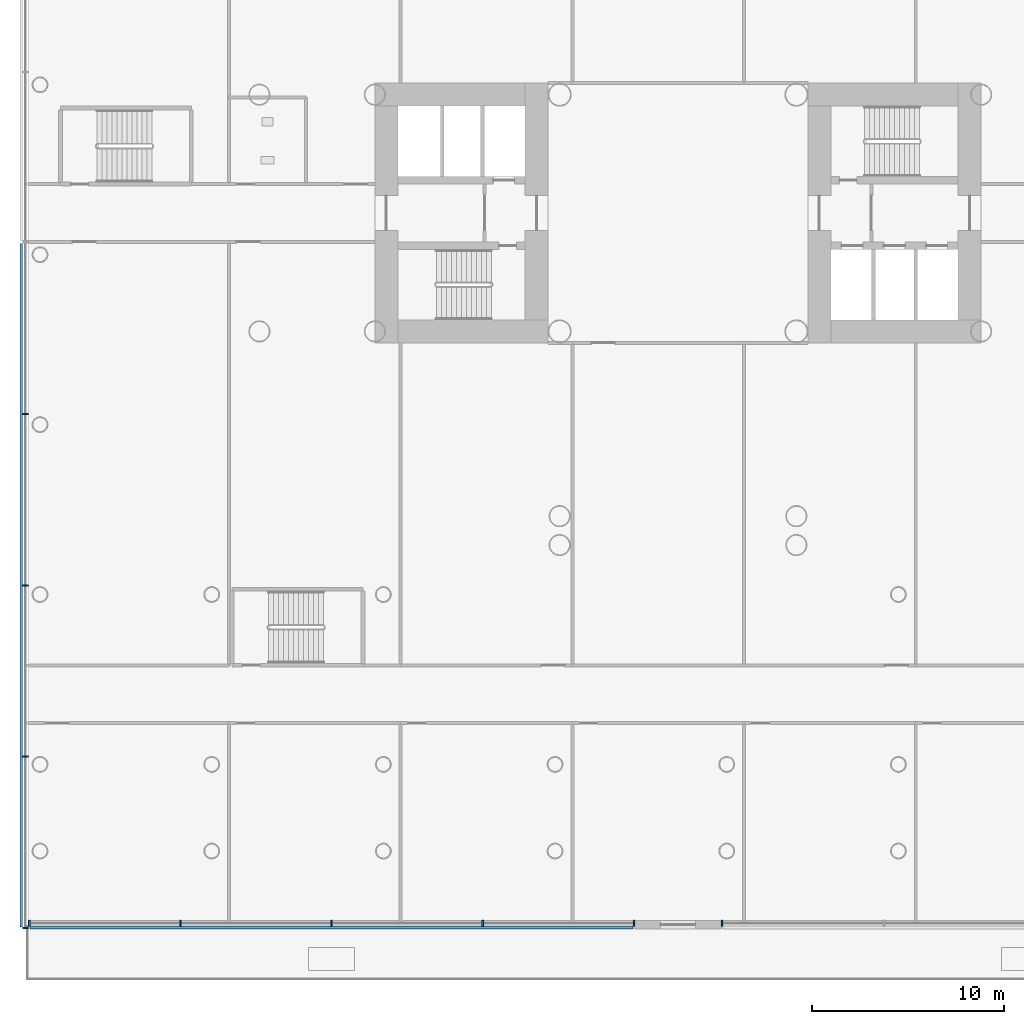
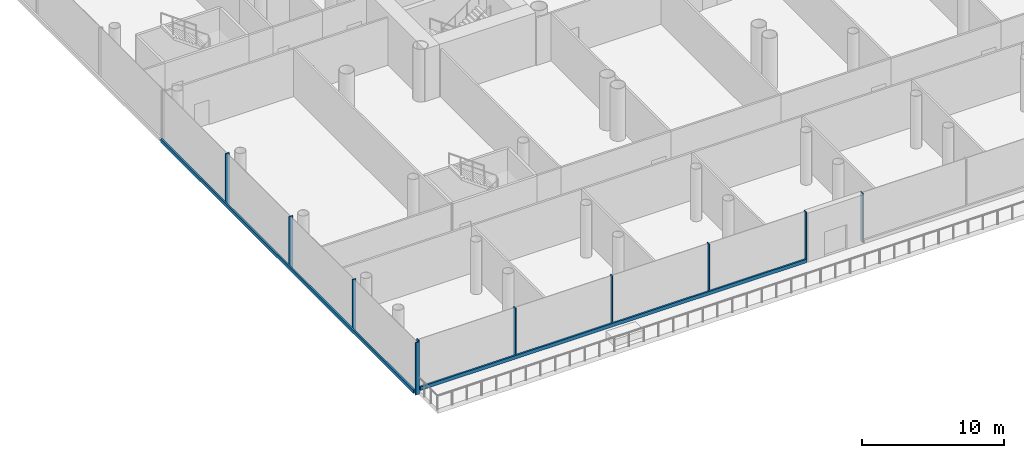
# One storey, part 5 of 49: 12 members, 3 elements without a shape of their own.
"""IFC4 building model written with IfcOpenShell, lengths in metres."""

from ifc_helpers import new_model, si_unit, direction, frame, origin, origin_2d, place, context, subcontext, project, spatial, rectangle, extrude, material, layer, layer_set, material_profile, profile_set, type_object, element, aggregate, save


model = new_model("IFC4")

# Units and contexts
model_context = context("Model", 3, precision=1e-05, world=origin(), true_north=direction((0.0, 1.0)))
body_context = subcontext(model_context, "Body", "Model", "MODEL_VIEW")
ifc_project = project(units=[si_unit("LENGTHUNIT", "METRE"), si_unit("AREAUNIT", "SQUARE_METRE"), si_unit("VOLUMEUNIT", "CUBIC_METRE"), si_unit("PLANEANGLEUNIT", "RADIAN"), si_unit("MASSUNIT", "GRAM", prefix="KILO")], contexts=[model_context])

# Site, building, storey
site_placement = place(None, origin())
site = spatial("IfcSite", under=ifc_project, at=site_placement, CompositionType="ELEMENT")
building_placement = place(site_placement, origin())
building = spatial("IfcBuilding", under=site, at=building_placement, Name="Ipe Terrace Towers", CompositionType="ELEMENT")
storey_placement = place(building_placement, frame((0.0, 0.0, 11.0)))
storey = spatial("IfcBuildingStorey", under=building, at=storey_placement, Name="L02", CompositionType="ELEMENT", Elevation=11.0)

# Curtain wall, members
ifc_material_1 = material(Name="Aluminium alloy 6063-T6", Category="aluminium")
ifc_layer = layer(ifc_material_1, 0.43994140625)
ifc_layer_set = layer_set([ifc_layer], Name="PODIUM GLAZING CURTAIN WALL")
curtain_wall_type = type_object("IfcCurtainWallType", Name="PODIUM GLAZING CURTAIN WALL", PredefinedType="NOTDEFINED", material=ifc_layer_set)
curtain_wall_1_placement = place(storey_placement, origin())
curtain_wall_1 = element("IfcCurtainWall", 1, at=curtain_wall_1_placement, inside=storey, type_object=curtain_wall_type, Name="POD-CW-L02-02b curtain wall", PredefinedType="NOTDEFINED")
ifc_material_2 = material(Name="Aluminium alloy 6063-T6", Category="aluminium")
ifc_material_profile_1 = material_profile(ifc_material_2, rectangle(XDim=0.300048828125, YDim=0.080078125, at=origin_2d()), Name="PODIUM GLAZING MULLION 300 x 80")
ifc_profile_set_1 = profile_set([ifc_material_profile_1], Name="Aluminium alloy 6063-T6")
member_type_1 = type_object("IfcMemberType", Name="PODIUM GLAZING MULLION 300 x 80", PredefinedType="MULLION", material=ifc_profile_set_1)
member_1_placement = place(storey_placement, frame((-69.89990234375, -10.4423828125, -0.300048828125), z_axis=(0.0, 0.0, 1.0), x_axis=(-1.0, 0.0, 0.0)))
member_1 = element("IfcMember", 2, at=member_1_placement, type_object=member_type_1, Name="POD-CW-L02-02b mullion 2", PredefinedType="MULLION", context=body_context, shape_type="SweptSolid", body=[
    extrude(rectangle(XDim=0.300048828125, YDim=0.080078125, at=origin_2d()), origin(), (0.0, 0.0, 1.0), 4.5),
])
member_2_placement = place(storey_placement, frame((-69.89990234375, -19.344970703125, -0.300048828125), z_axis=(0.0, 0.0, 1.0), x_axis=(-1.0, 0.0, 0.0)))
member_2 = element("IfcMember", 3, at=member_2_placement, type_object=member_type_1, Name="POD-CW-L02-02b mullion 3", PredefinedType="MULLION", context=body_context, shape_type="SweptSolid", body=[
    extrude(rectangle(XDim=0.300048828125, YDim=0.080078125, at=origin_2d()), origin(), (0.0, 0.0, 1.0), 4.5),
])
member_3_placement = place(storey_placement, frame((-69.89990234375, -28.24755859375, -0.300048828125), z_axis=(0.0, 0.0, 1.0), x_axis=(-1.0, 0.0, 0.0)))
member_3 = element("IfcMember", 4, at=member_3_placement, type_object=member_type_1, Name="POD-CW-L02-02b mullion 4", PredefinedType="MULLION", context=body_context, shape_type="SweptSolid", body=[
    extrude(rectangle(XDim=0.300048828125, YDim=0.080078125, at=origin_2d()), origin(), (0.0, 0.0, 1.0), 4.5),
])
member_4_placement = place(storey_placement, frame((-69.89990234375, -37.14990234375, -0.300048828125), z_axis=(0.0, 0.0, 1.0), x_axis=(-1.0, 0.0, 0.0)))
member_4 = element("IfcMember", 5, at=member_4_placement, type_object=member_type_1, Name="POD-CW-L02-02b mullion 5", PredefinedType="MULLION", context=body_context, shape_type="SweptSolid", body=[
    extrude(rectangle(XDim=0.300048828125, YDim=0.080078125, at=origin_2d()), origin(), (0.0, 0.0, 1.0), 4.5),
])

curtain_wall_2_placement = place(storey_placement, origin())
curtain_wall_2 = element("IfcCurtainWall", 6, at=curtain_wall_2_placement, inside=storey, type_object=curtain_wall_type, Name="POD-CW-L02-03a curtain wall", PredefinedType="NOTDEFINED")
member_5_placement = place(storey_placement, frame((-69.7099609375, -36.89990234375, -0.02001953125), z_axis=(0.0, 0.0, 1.0), x_axis=(0.0, -1.0, 0.0)))
member_5 = element("IfcMember", 7, at=member_5_placement, type_object=member_type_1, Name="POD-CW-L02-03a mullion 1", PredefinedType="MULLION", context=body_context, shape_type="SweptSolid", body=[
    extrude(rectangle(XDim=0.300048828125, YDim=0.080078125, at=origin_2d()), origin(), (0.0, 0.0, 1.0), 4.219970703125),
])
member_6_placement = place(storey_placement, frame((-61.85498046875, -36.89990234375, -0.02001953125), z_axis=(0.0, 0.0, 1.0), x_axis=(0.0, -1.0, 0.0)))
member_6 = element("IfcMember", 8, at=member_6_placement, type_object=member_type_1, Name="POD-CW-L02-03a mullion 2", PredefinedType="MULLION", context=body_context, shape_type="SweptSolid", body=[
    extrude(rectangle(XDim=0.300048828125, YDim=0.080078125, at=origin_2d()), origin(), (0.0, 0.0, 1.0), 4.219970703125),
])
member_7_placement = place(storey_placement, frame((-54.0, -36.89990234375, -0.02001953125), z_axis=(0.0, 0.0, 1.0), x_axis=(0.0, -1.0, 0.0)))
member_7 = element("IfcMember", 9, at=member_7_placement, type_object=member_type_1, Name="POD-CW-L02-03a mullion 3", PredefinedType="MULLION", context=body_context, shape_type="SweptSolid", body=[
    extrude(rectangle(XDim=0.300048828125, YDim=0.080078125, at=origin_2d()), origin(), (0.0, 0.0, 1.0), 4.219970703125),
])
member_8_placement = place(storey_placement, frame((-46.14501953125, -36.89990234375, -0.02001953125), z_axis=(0.0, 0.0, 1.0), x_axis=(0.0, -1.0, 0.0)))
member_8 = element("IfcMember", 10, at=member_8_placement, type_object=member_type_1, Name="POD-CW-L02-03a mullion 4", PredefinedType="MULLION", context=body_context, shape_type="SweptSolid", body=[
    extrude(rectangle(XDim=0.300048828125, YDim=0.080078125, at=origin_2d()), origin(), (0.0, 0.0, 1.0), 4.219970703125),
])
member_9_placement = place(storey_placement, frame((-38.2900390625, -36.89990234375, -0.02001953125), z_axis=(0.0, 0.0, 1.0), x_axis=(0.0, -1.0, 0.0)))
member_9 = element("IfcMember", 11, at=member_9_placement, type_object=member_type_1, Name="POD-CW-L02-03a mullion 5", PredefinedType="MULLION", context=body_context, shape_type="SweptSolid", body=[
    extrude(rectangle(XDim=0.300048828125, YDim=0.080078125, at=origin_2d()), origin(), (0.0, 0.0, 1.0), 4.219970703125),
])

# Curtain wall, member
curtain_wall_3_placement = place(storey_placement, origin())
curtain_wall_3 = element("IfcCurtainWall", 12, at=curtain_wall_3_placement, inside=storey, type_object=curtain_wall_type, Name="POD-CW-L02-03c curtain wall", PredefinedType="NOTDEFINED")
member_10_placement = place(storey_placement, frame((-33.7099609375, -36.89990234375, -0.02001953125), z_axis=(0.0, 0.0, 1.0), x_axis=(0.0, -1.0, 0.0)))
member_10 = element("IfcMember", 13, at=member_10_placement, type_object=member_type_1, Name="POD-CW-L02-03c mullion 1", PredefinedType="MULLION", context=body_context, shape_type="SweptSolid", body=[
    extrude(rectangle(XDim=0.300048828125, YDim=0.080078125, at=origin_2d()), origin(), (0.0, 0.0, 1.0), 4.219970703125),
])
aggregate(curtain_wall_3, [member_10])

# Member
ifc_material_3 = material(Name="Aluminium alloy 6063-T6", Category="aluminium")
ifc_material_profile_2 = material_profile(ifc_material_3, rectangle(XDim=0.139892578125, YDim=0.300048828125, at=origin_2d()), Name="PODIUM GLAZING TRANSOM 140 x 300")
ifc_profile_set_2 = profile_set([ifc_material_profile_2], Name="Aluminium alloy 6063-T6")
member_type_2 = type_object("IfcMemberType", Name="PODIUM GLAZING TRANSOM 140 x 300", PredefinedType="USERDEFINED", material=ifc_profile_set_2)
member_11_placement = place(storey_placement, frame((-70.1201171875, -1.580078125, 0.0), z_axis=(0.0, -1.0, 0.0), x_axis=(-1.0, 0.0, 0.0)))
member_11 = element("IfcMember", 14, at=member_11_placement, type_object=member_type_2, Name="POD-CW-L02-02b transom", ObjectType="TRANSOM", PredefinedType="USERDEFINED", context=body_context, shape_type="SweptSolid", body=[
    extrude(rectangle(XDim=0.139892578125, YDim=0.300048828125, at=origin_2d()), origin(), (0.0, 0.0, 1.0), 35.530029296875),
])

aggregate(curtain_wall_1, [member_1, member_2, member_3, member_4, member_11])

member_12_placement = place(storey_placement, frame((-69.669921875, -37.1201171875, 0.1298828125), z_axis=(1.0, 0.0, 0.0), x_axis=(0.0, -1.0, 0.0)))
member_12 = element("IfcMember", 15, at=member_12_placement, type_object=member_type_2, Name="POD-CW-L02-03a transom", ObjectType="TRANSOM", PredefinedType="USERDEFINED", context=body_context, shape_type="SweptSolid", body=[
    extrude(rectangle(XDim=0.139892578125, YDim=0.300048828125, at=origin_2d()), origin(), (0.0, 0.0, 1.0), 31.33984375),
])

aggregate(curtain_wall_2, [member_5, member_6, member_7, member_8, member_9, member_12])

save(model, "model.ifc")
